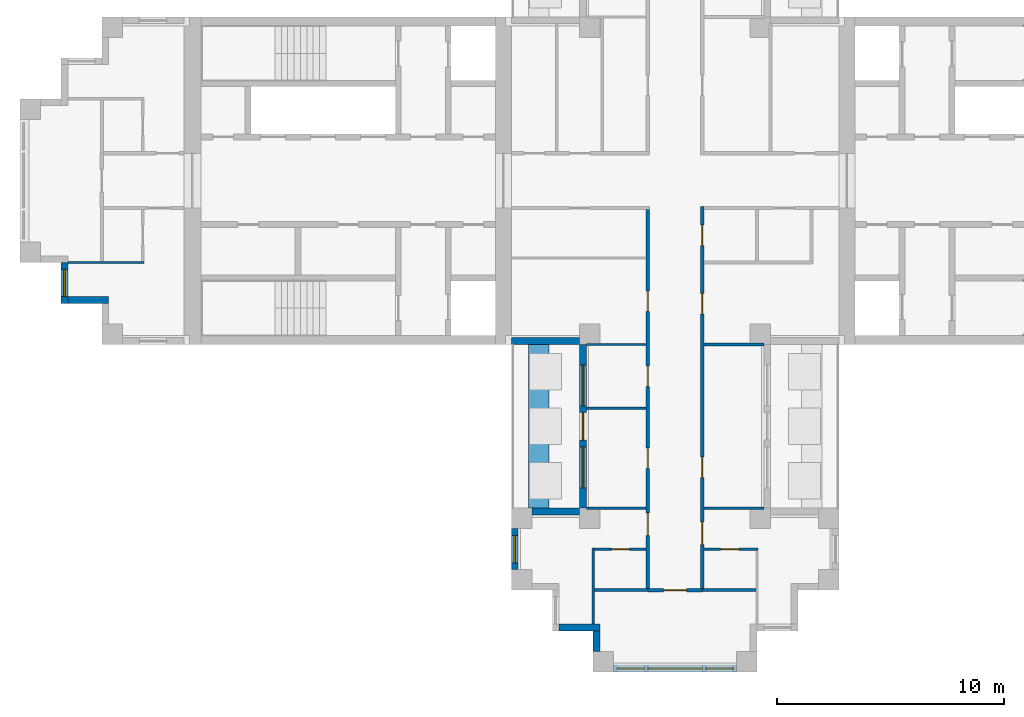
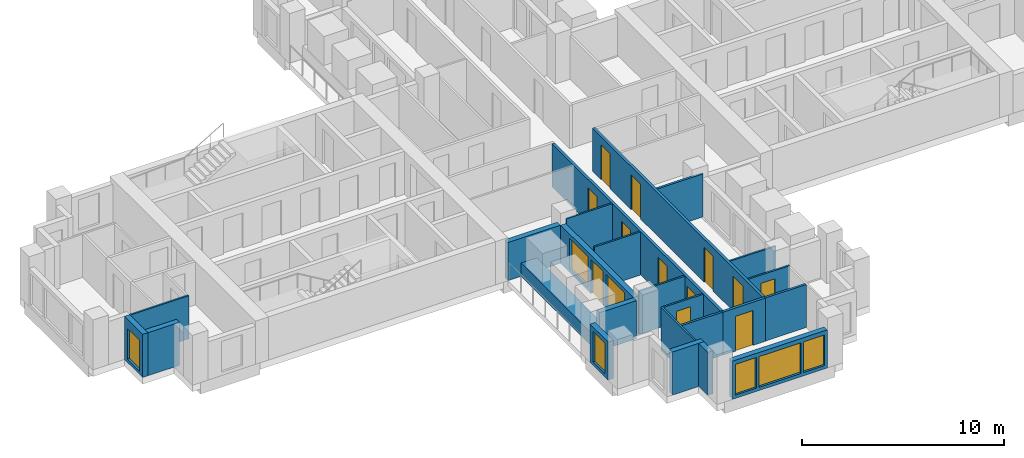
# One storey, part 2 of 10: 24 walls, 12 doors, 7 windows, 19 openings.
"""IFC4 building model written with IfcOpenShell, lengths in metres."""

from ifc_helpers import new_model, si_unit, direction, frame, frame_2d, origin, place, context, subcontext, project, spatial, rectangle, extrude, material, layer, layer_set, type_object, element, fill, save


model = new_model("IFC4")

# Units and contexts
model_context = context("Model", 3, precision=1e-05, world=origin(), true_north=direction((0.0, 1.0)))
body_context = subcontext(model_context, "Body", "Model", "MODEL_VIEW")
ifc_project = project(units=[si_unit("LENGTHUNIT", "METRE"), si_unit("AREAUNIT", "SQUARE_METRE"), si_unit("VOLUMEUNIT", "CUBIC_METRE"), si_unit("PLANEANGLEUNIT", "RADIAN"), si_unit("MASSUNIT", "GRAM", prefix="KILO")], contexts=[model_context])

# Site, building, storey
site_placement = place(None, origin())
site = spatial("IfcSite", under=ifc_project, at=site_placement, CompositionType="ELEMENT")
building_placement = place(site_placement, origin())
building = spatial("IfcBuilding", under=site, at=building_placement, Name="Fustian Cross Tower", CompositionType="ELEMENT")
storey_placement = place(building_placement, frame((0.0, 0.0, 204.89990234375)))
storey = spatial("IfcBuildingStorey", under=building, at=storey_placement, Name="L64", CompositionType="ELEMENT", Elevation=204.89990234375)

# Wall, openings, doors
ifc_material_1 = material(Name="Plasterboard on steel stud", Category="steel")
ifc_layer_1 = layer(ifc_material_1, 0.14990234375)
ifc_layer_set_1 = layer_set([ifc_layer_1], Name="Plasterboard on steel stud")
wall_type_1 = type_object("IfcWallType", Name="COMPARTMENT WALL 150 EI 60", PredefinedType="PARTITIONING", material=ifc_layer_set_1)
wall_1_placement = place(storey_placement, frame((-1.199951171875, -17.925048828125, 0.0), z_axis=(0.0, 0.0, 1.0), x_axis=(0.0, 1.0, 0.0)))
wall_1 = element("IfcWall", 1, at=wall_1_placement, inside=storey, type_object=wall_type_1, Name="Partition 26", PredefinedType="PARTITIONING", context=body_context, shape_type="SweptSolid", body=[
    extrude(rectangle(XDim=16.650146484375, YDim=0.14990234375, at=frame_2d((8.3251953125, 0.0))), origin(), (0.0, 0.0, 1.0), 2.60009765625),
])
opening_1_placement = place(wall_1_placement, frame((12.175048828125, 0.0, 0.0)))
opening_1 = element("IfcOpeningElement", 2, at=opening_1_placement, cuts=wall_1, Name="Opening D29010", PredefinedType="OPENING", context=body_context, shape_type="SweptSolid", body=[
    extrude(rectangle(XDim=0.89990234375, YDim=2.10009765625, at=frame_2d((0.449951171875, 1.050048828125))), frame((0.0, 0.0849609375, 0.0), z_axis=(0.0, -1.0, 0.0), x_axis=(1.0, 0.0, 0.0)), (0.0, 0.0, 1.0), 0.169921875),
])
opening_2_placement = place(wall_1_placement, frame((8.875, 0.0, 0.0)))
opening_2 = element("IfcOpeningElement", 3, at=opening_2_placement, cuts=wall_1, Name="Opening D29030", PredefinedType="OPENING", context=body_context, shape_type="SweptSolid", body=[
    extrude(rectangle(XDim=0.89990234375, YDim=2.10009765625, at=frame_2d((0.449951171875, 1.050048828125))), frame((0.0, 0.0849609375, 0.0), z_axis=(0.0, -1.0, 0.0), x_axis=(1.0, 0.0, 0.0)), (0.0, 0.0, 1.0), 0.169921875),
])
opening_3_placement = place(wall_1_placement, frame((5.27490234375, 0.0, 0.0)))
opening_3 = element("IfcOpeningElement", 4, at=opening_3_placement, cuts=wall_1, Name="Opening D29031", PredefinedType="OPENING", context=body_context, shape_type="SweptSolid", body=[
    extrude(rectangle(XDim=0.89990234375, YDim=2.10009765625, at=frame_2d((0.449951171875, 1.050048828125))), frame((0.0, 0.0849609375, 0.0), z_axis=(0.0, -1.0, 0.0), x_axis=(1.0, 0.0, 0.0)), (0.0, 0.0, 1.0), 0.169921875),
])
opening_4_placement = place(wall_1_placement, frame((2.324951171875, 0.0, 0.0)))
opening_4 = element("IfcOpeningElement", 5, at=opening_4_placement, cuts=wall_1, Name="Opening D29033", PredefinedType="OPENING", context=body_context, shape_type="SweptSolid", body=[
    extrude(rectangle(XDim=1.0, YDim=2.10009765625, at=frame_2d((0.5, 1.050048828125))), frame((0.0, 0.0849609375, 0.0), z_axis=(0.0, -1.0, 0.0), x_axis=(1.0, 0.0, 0.0)), (0.0, 0.0, 1.0), 0.169921875),
])
ifc_material_2 = material(Name="Timber fire door set", Category="wood")
door_type_1 = type_object("IfcDoorType", Name="FIRE SWING DOOR 1000 FD30S", OperationType="SINGLE_SWING_LEFT", PredefinedType="DOOR", material=ifc_material_2)
door_1_placement = place(opening_4_placement, origin())
door_1 = element("IfcDoor", 6, at=door_1_placement, inside=storey, type_object=door_type_1, Name="Door D29033", OperationType="SINGLE_SWING_RIGHT", OverallHeight=2.10009765625, OverallWidth=1.0, PredefinedType="DOOR", context=body_context, shape_type="SweptSolid", body=[
    extrude(rectangle(XDim=1.0, YDim=2.10009765625, at=frame_2d((0.5, 1.050048828125))), frame((0.0, 0.02490234375, 0.0), z_axis=(0.0, -1.0, 0.0), x_axis=(1.0, 0.0, 0.0)), (0.0, 0.0, 1.0), 0.050048828125),
])
fill(opening_4, door_1)
ifc_material_3 = material(Name="Timber fire door set", Category="wood")
door_type_2 = type_object("IfcDoorType", Name="FIRE SWING DOOR 900 FD30S", OperationType="SINGLE_SWING_LEFT", PredefinedType="DOOR", material=ifc_material_3)
door_2_placement = place(opening_1_placement, origin())
door_2 = element("IfcDoor", 7, at=door_2_placement, inside=storey, type_object=door_type_2, Name="Door D29010", OperationType="SINGLE_SWING_RIGHT", OverallHeight=2.10009765625, OverallWidth=0.89990234375, PredefinedType="DOOR", context=body_context, shape_type="SweptSolid", body=[
    extrude(rectangle(XDim=0.89990234375, YDim=2.10009765625, at=frame_2d((0.449951171875, 1.050048828125))), frame((0.0, 0.02490234375, 0.0), z_axis=(0.0, -1.0, 0.0), x_axis=(1.0, 0.0, 0.0)), (0.0, 0.0, 1.0), 0.050048828125),
])
fill(opening_1, door_2)
door_3_placement = place(opening_2_placement, origin())
door_3 = element("IfcDoor", 8, at=door_3_placement, inside=storey, type_object=door_type_2, Name="Door D29030", OperationType="SINGLE_SWING_LEFT", OverallHeight=2.10009765625, OverallWidth=0.89990234375, PredefinedType="DOOR", context=body_context, shape_type="SweptSolid", body=[
    extrude(rectangle(XDim=0.89990234375, YDim=2.10009765625, at=frame_2d((0.449951171875, 1.050048828125))), frame((0.0, 0.02490234375, 0.0), z_axis=(0.0, -1.0, 0.0), x_axis=(1.0, 0.0, 0.0)), (0.0, 0.0, 1.0), 0.050048828125),
])
fill(opening_2, door_3)
door_4_placement = place(opening_3_placement, origin())
door_4 = element("IfcDoor", 9, at=door_4_placement, inside=storey, type_object=door_type_2, Name="Door D29031", OperationType="SINGLE_SWING_LEFT", OverallHeight=2.10009765625, OverallWidth=0.89990234375, PredefinedType="DOOR", context=body_context, shape_type="SweptSolid", body=[
    extrude(rectangle(XDim=0.89990234375, YDim=2.10009765625, at=frame_2d((0.449951171875, 1.050048828125))), frame((0.0, 0.02490234375, 0.0), z_axis=(0.0, -1.0, 0.0), x_axis=(1.0, 0.0, 0.0)), (0.0, 0.0, 1.0), 0.050048828125),
])
fill(opening_3, door_4)

# Wall, opening, door
wall_2_placement = place(storey_placement, frame((-1.199951171875, -18.0, 0.0), z_axis=(0.0, 0.0, 1.0), x_axis=(1.0, 0.0, 0.0)))
wall_2 = element("IfcWall", 10, at=wall_2_placement, inside=storey, type_object=wall_type_1, Name="Partition 27", PredefinedType="PARTITIONING", context=body_context, shape_type="SweptSolid", body=[
    extrude(rectangle(XDim=2.39990234375, YDim=0.14990234375, at=frame_2d((1.199951171875, 0.0))), origin(), (0.0, 0.0, 1.0), 2.60009765625),
])
opening_5_placement = place(wall_2_placement, frame((0.699951171875, 0.0, 0.0)))
opening_5 = element("IfcOpeningElement", 11, at=opening_5_placement, cuts=wall_2, Name="Opening D29026", PredefinedType="OPENING", context=body_context, shape_type="SweptSolid", body=[
    extrude(rectangle(XDim=1.0, YDim=2.10009765625, at=frame_2d((0.5, 1.050048828125))), frame((0.0, 0.0849609375, 0.0), z_axis=(0.0, -1.0, 0.0), x_axis=(1.0, 0.0, 0.0)), (0.0, 0.0, 1.0), 0.169921875),
])
door_5_placement = place(opening_5_placement, frame((1.0, 0.0, 0.0), z_axis=(0.0, 0.0, 1.0), x_axis=(-1.0, 0.0, 0.0)))
door_5 = element("IfcDoor", 12, at=door_5_placement, inside=storey, type_object=door_type_1, Name="Door D29026", OperationType="SINGLE_SWING_RIGHT", OverallHeight=2.10009765625, OverallWidth=1.0, PredefinedType="DOOR", context=body_context, shape_type="SweptSolid", body=[
    extrude(rectangle(XDim=1.0, YDim=2.10009765625, at=frame_2d((0.5, 1.050048828125))), frame((0.0, 0.02490234375, 0.0), z_axis=(0.0, -1.0, 0.0), x_axis=(1.0, 0.0, 0.0)), (0.0, 0.0, 1.0), 0.050048828125),
])
fill(opening_5, door_5)

# Wall, openings, doors
wall_3_placement = place(storey_placement, frame((1.199951171875, -17.925048828125, 0.0), z_axis=(0.0, 0.0, 1.0), x_axis=(0.0, 1.0, 0.0)))
wall_3 = element("IfcWall", 13, at=wall_3_placement, inside=storey, type_object=wall_type_1, Name="Partition 30", PredefinedType="PARTITIONING", context=body_context, shape_type="SweptSolid", body=[
    extrude(rectangle(XDim=16.800048828125, YDim=0.14990234375, at=frame_2d((8.39990234375, 0.0))), origin(), (0.0, 0.0, 1.0), 2.60009765625),
])
opening_6_placement = place(wall_3_placement, frame((15.074951171875, 0.0, 0.0)))
opening_6 = element("IfcOpeningElement", 14, at=opening_6_placement, cuts=wall_3, Name="Opening D29006", PredefinedType="OPENING", context=body_context, shape_type="SweptSolid", body=[
    extrude(rectangle(XDim=0.89990234375, YDim=2.10009765625, at=frame_2d((0.449951171875, 1.050048828125))), frame((0.0, 0.0849609375, 0.0), z_axis=(0.0, -1.0, 0.0), x_axis=(1.0, 0.0, 0.0)), (0.0, 0.0, 1.0), 0.169921875),
])
opening_7_placement = place(wall_3_placement, frame((12.074951171875, 0.0, 0.0)))
opening_7 = element("IfcOpeningElement", 15, at=opening_7_placement, cuts=wall_3, Name="Opening D29008", PredefinedType="OPENING", context=body_context, shape_type="SweptSolid", body=[
    extrude(rectangle(XDim=0.89990234375, YDim=2.10009765625, at=frame_2d((0.449951171875, 1.050048828125))), frame((0.0, 0.0849609375, 0.0), z_axis=(0.0, -1.0, 0.0), x_axis=(1.0, 0.0, 0.0)), (0.0, 0.0, 1.0), 0.169921875),
])
opening_8_placement = place(wall_3_placement, frame((4.875, 0.0, 0.0)))
opening_8 = element("IfcOpeningElement", 16, at=opening_8_placement, cuts=wall_3, Name="Opening D29027", PredefinedType="OPENING", context=body_context, shape_type="SweptSolid", body=[
    extrude(rectangle(XDim=0.89990234375, YDim=2.10009765625, at=frame_2d((0.449951171875, 1.050048828125))), frame((0.0, 0.0849609375, 0.0), z_axis=(0.0, -1.0, 0.0), x_axis=(1.0, 0.0, 0.0)), (0.0, 0.0, 1.0), 0.169921875),
])
opening_9_placement = place(wall_3_placement, frame((1.925048828125, 0.0, 0.0)))
opening_9 = element("IfcOpeningElement", 17, at=opening_9_placement, cuts=wall_3, Name="Opening D29029", PredefinedType="OPENING", context=body_context, shape_type="SweptSolid", body=[
    extrude(rectangle(XDim=1.0, YDim=2.10009765625, at=frame_2d((0.5, 1.050048828125))), frame((0.0, 0.0849609375, 0.0), z_axis=(0.0, -1.0, 0.0), x_axis=(1.0, 0.0, 0.0)), (0.0, 0.0, 1.0), 0.169921875),
])
door_6_placement = place(opening_9_placement, frame((1.0, 0.0, 0.0), z_axis=(0.0, 0.0, 1.0), x_axis=(-1.0, 0.0, 0.0)))
door_6 = element("IfcDoor", 18, at=door_6_placement, inside=storey, type_object=door_type_1, Name="Door D29029", OperationType="SINGLE_SWING_RIGHT", OverallHeight=2.10009765625, OverallWidth=1.0, PredefinedType="DOOR", context=body_context, shape_type="SweptSolid", body=[
    extrude(rectangle(XDim=1.0, YDim=2.10009765625, at=frame_2d((0.5, 1.050048828125))), frame((0.0, 0.02490234375, 0.0), z_axis=(0.0, -1.0, 0.0), x_axis=(1.0, 0.0, 0.0)), (0.0, 0.0, 1.0), 0.050048828125),
])
fill(opening_9, door_6)
door_7_placement = place(opening_6_placement, frame((0.89990234375, 0.0, 0.0), z_axis=(0.0, 0.0, 1.0), x_axis=(-1.0, 0.0, 0.0)))
door_7 = element("IfcDoor", 19, at=door_7_placement, inside=storey, type_object=door_type_2, Name="Door D29006", OperationType="SINGLE_SWING_RIGHT", OverallHeight=2.10009765625, OverallWidth=0.89990234375, PredefinedType="DOOR", context=body_context, shape_type="SweptSolid", body=[
    extrude(rectangle(XDim=0.89990234375, YDim=2.10009765625, at=frame_2d((0.449951171875, 1.050048828125))), frame((0.0, 0.02490234375, 0.0), z_axis=(0.0, -1.0, 0.0), x_axis=(1.0, 0.0, 0.0)), (0.0, 0.0, 1.0), 0.050048828125),
])
fill(opening_6, door_7)
door_8_placement = place(opening_7_placement, frame((0.89990234375, 0.0, 0.0), z_axis=(0.0, 0.0, 1.0), x_axis=(-1.0, 0.0, 0.0)))
door_8 = element("IfcDoor", 20, at=door_8_placement, inside=storey, type_object=door_type_2, Name="Door D29008", OperationType="SINGLE_SWING_RIGHT", OverallHeight=2.10009765625, OverallWidth=0.89990234375, PredefinedType="DOOR", context=body_context, shape_type="SweptSolid", body=[
    extrude(rectangle(XDim=0.89990234375, YDim=2.10009765625, at=frame_2d((0.449951171875, 1.050048828125))), frame((0.0, 0.02490234375, 0.0), z_axis=(0.0, -1.0, 0.0), x_axis=(1.0, 0.0, 0.0)), (0.0, 0.0, 1.0), 0.050048828125),
])
fill(opening_7, door_8)
door_9_placement = place(opening_8_placement, frame((0.89990234375, 0.0, 0.0), z_axis=(0.0, 0.0, 1.0), x_axis=(-1.0, 0.0, 0.0)))
door_9 = element("IfcDoor", 21, at=door_9_placement, inside=storey, type_object=door_type_2, Name="Door D29027", OperationType="SINGLE_SWING_RIGHT", OverallHeight=2.10009765625, OverallWidth=0.89990234375, PredefinedType="DOOR", context=body_context, shape_type="SweptSolid", body=[
    extrude(rectangle(XDim=0.89990234375, YDim=2.10009765625, at=frame_2d((0.449951171875, 1.050048828125))), frame((0.0, 0.02490234375, 0.0), z_axis=(0.0, -1.0, 0.0), x_axis=(1.0, 0.0, 0.0)), (0.0, 0.0, 1.0), 0.050048828125),
])
fill(opening_8, door_9)

# Walls
ifc_material_4 = material(Name="Plasterboard on steel stud", Category="steel")
ifc_layer_2 = layer(ifc_material_4, 0.10009765625)
ifc_layer_set_2 = layer_set([ifc_layer_2], Name="Plasterboard on steel stud")
wall_type_2 = type_object("IfcWallType", Name="PARTITION 100 STUD", PredefinedType="PARTITIONING", material=ifc_layer_set_2)
wall_4_placement = place(storey_placement, frame((-26.699951171875, -3.60009765625, 0.0), z_axis=(0.0, 0.0, 1.0), x_axis=(1.0, 0.0, 0.0)))
element("IfcWall", 22, at=wall_4_placement, inside=storey, type_object=wall_type_2, Name="Partition 1", PredefinedType="PARTITIONING", context=body_context, shape_type="SweptSolid", body=[
    extrude(rectangle(XDim=3.349853515625, YDim=0.10009765625, at=frame_2d((1.6748046875, 0.0))), origin(), (0.0, 0.0, 1.0), 2.60009765625),
])
for number, where, z_axis, x_axis, name in (
    (23, (-3.89990234375, -14.39990234375, 0.0), (0.0, 0.0, 1.0), (1.0, 0.0, 0.0), "Partition 14"),
    (24, (-3.89990234375, -10.0, 0.0), (0.0, 0.0, 1.0), (1.0, 0.0, 0.0), "Partition 15"),
    (25, (-3.89990234375, -7.199951171875, 0.0), (0.0, 0.0, 1.0), (1.0, 0.0, 0.0), "Partition 16"),
):
    element("IfcWall", number, at=place(storey_placement, frame(where, z_axis=z_axis, x_axis=x_axis)), inside=storey, type_object=wall_type_2, Name=name, PredefinedType="PARTITIONING", context=body_context, shape_type="SweptSolid", body=[
        extrude(rectangle(XDim=2.625, YDim=0.10009765625, at=frame_2d((1.3125, 0.0))), origin(), (0.0, 0.0, 1.0), 2.60009765625),
    ])
wall_5_placement = place(storey_placement, frame((-3.60009765625, -19.5, 0.0), z_axis=(0.0, 0.0, 1.0), x_axis=(0.0, 1.0, 0.0)))
element("IfcWall", 26, at=wall_5_placement, inside=storey, type_object=wall_type_2, Name="Partition 19", PredefinedType="PARTITIONING", context=body_context, shape_type="SweptSolid", body=[
    extrude(rectangle(XDim=3.35009765625, YDim=0.10009765625, at=frame_2d((1.675048828125, 0.0))), origin(), (0.0, 0.0, 1.0), 2.60009765625),
])

# Wall, opening, door
wall_6_placement = place(storey_placement, frame((-3.550048828125, -16.199951171875, 0.0), z_axis=(0.0, 0.0, 1.0), x_axis=(1.0, 0.0, 0.0)))
wall_6 = element("IfcWall", 27, at=wall_6_placement, inside=storey, type_object=wall_type_2, Name="Partition 21", PredefinedType="PARTITIONING", context=body_context, shape_type="SweptSolid", body=[
    extrude(rectangle(XDim=2.275146484375, YDim=0.10009765625, at=frame_2d((1.1376953125, 0.0))), origin(), (0.0, 0.0, 1.0), 2.60009765625),
])
opening_10_placement = place(wall_6_placement, frame((0.75, 0.0, 0.0)))
opening_10 = element("IfcOpeningElement", 28, at=opening_10_placement, cuts=wall_6, Name="Opening D29032", PredefinedType="OPENING", context=body_context, shape_type="SweptSolid", body=[
    extrude(rectangle(XDim=0.800048828125, YDim=2.10009765625, at=frame_2d((0.39990234375, 1.050048828125))), frame((0.0, 0.06005859375, 0.0), z_axis=(0.0, -1.0, 0.0), x_axis=(1.0, 0.0, 0.0)), (0.0, 0.0, 1.0), 0.1201171875),
])
ifc_material_5 = material(Name="Painted timber", Category="wood")
door_type_3 = type_object("IfcDoorType", Name="SWING DOOR 800", OperationType="SINGLE_SWING_LEFT", PredefinedType="DOOR", material=ifc_material_5)
door_10_placement = place(opening_10_placement, frame((0.800048828125, 0.0, 0.0), z_axis=(0.0, 0.0, 1.0), x_axis=(-1.0, 0.0, 0.0)))
door_10 = element("IfcDoor", 29, at=door_10_placement, inside=storey, type_object=door_type_3, Name="Door D29032", OperationType="SINGLE_SWING_RIGHT", OverallHeight=2.10009765625, OverallWidth=0.800048828125, PredefinedType="DOOR", context=body_context, shape_type="SweptSolid", body=[
    extrude(rectangle(XDim=0.800048828125, YDim=2.10009765625, at=frame_2d((0.39990234375, 1.050048828125))), frame((0.0, 0.02490234375, 0.0), z_axis=(0.0, -1.0, 0.0), x_axis=(1.0, 0.0, 0.0)), (0.0, 0.0, 1.0), 0.050048828125),
])
fill(opening_10, door_10)

wall_7_placement = place(storey_placement, frame((1.27490234375, -16.199951171875, 0.0), z_axis=(0.0, 0.0, 1.0), x_axis=(1.0, 0.0, 0.0)))
wall_7 = element("IfcWall", 30, at=wall_7_placement, inside=storey, type_object=wall_type_2, Name="Partition 32", PredefinedType="PARTITIONING", context=body_context, shape_type="SweptSolid", body=[
    extrude(rectangle(XDim=2.375, YDim=0.10009765625, at=frame_2d((1.1875, 0.0))), origin(), (0.0, 0.0, 1.0), 2.60009765625),
])
opening_11_placement = place(wall_7_placement, frame((0.72509765625, 0.0, 0.0)))
opening_11 = element("IfcOpeningElement", 31, at=opening_11_placement, cuts=wall_7, Name="Opening D29028", PredefinedType="OPENING", context=body_context, shape_type="SweptSolid", body=[
    extrude(rectangle(XDim=0.800048828125, YDim=2.10009765625, at=frame_2d((0.39990234375, 1.050048828125))), frame((0.0, 0.06005859375, 0.0), z_axis=(0.0, -1.0, 0.0), x_axis=(1.0, 0.0, 0.0)), (0.0, 0.0, 1.0), 0.1201171875),
])
door_11_placement = place(opening_11_placement, frame((0.800048828125, 0.0, 0.0), z_axis=(0.0, 0.0, 1.0), x_axis=(-1.0, 0.0, 0.0)))
door_11 = element("IfcDoor", 32, at=door_11_placement, inside=storey, type_object=door_type_3, Name="Door D29028", OperationType="SINGLE_SWING_RIGHT", OverallHeight=2.10009765625, OverallWidth=0.800048828125, PredefinedType="DOOR", context=body_context, shape_type="SweptSolid", body=[
    extrude(rectangle(XDim=0.800048828125, YDim=2.10009765625, at=frame_2d((0.39990234375, 1.050048828125))), frame((0.0, 0.02490234375, 0.0), z_axis=(0.0, -1.0, 0.0), x_axis=(1.0, 0.0, 0.0)), (0.0, 0.0, 1.0), 0.050048828125),
])
fill(opening_11, door_11)

# Walls
wall_8_placement = place(storey_placement, frame((1.27490234375, -14.39990234375, 0.0), z_axis=(0.0, 0.0, 1.0), x_axis=(1.0, 0.0, 0.0)))
element("IfcWall", 33, at=wall_8_placement, inside=storey, type_object=wall_type_2, Name="Partition 33", PredefinedType="PARTITIONING", context=body_context, shape_type="SweptSolid", body=[
    extrude(rectangle(XDim=2.625, YDim=0.10009765625, at=frame_2d((1.3125, 0.0))), origin(), (0.0, 0.0, 1.0), 2.60009765625),
])
ifc_material_6 = material(Name="Concrete C40/50", Category="concrete")
ifc_layer_3 = layer(ifc_material_6, 0.89990234375)
ifc_layer_set_3 = layer_set([ifc_layer_3], Name="Concrete C40/50")
wall_type_3 = type_object("IfcWallType", Name="PK1 PLANTER 900", PredefinedType="PARAPET", material=ifc_layer_set_3)
wall_9_placement = place(storey_placement, frame((-6.0, -14.39990234375, 0.0), z_axis=(0.0, 0.0, 1.0), x_axis=(0.0, 1.0, 0.0)))
element("IfcWall", 34, at=wall_9_placement, inside=storey, type_object=wall_type_3, Name="PLANTER", PredefinedType="PARAPET", context=body_context, shape_type="SweptSolid", body=[
    extrude(rectangle(XDim=7.199951171875, YDim=0.89990234375, at=frame_2d((3.60009765625, 0.0))), origin(), (0.0, 0.0, 1.0), 0.800048828125),
])
ifc_material_7 = material(Name="Plasterboard on steel stud", Category="steel")
ifc_layer_4 = layer(ifc_material_7, 0.125)
ifc_layer_set_4 = layer_set([ifc_layer_4], Name="Plasterboard on steel stud")
wall_type_4 = type_object("IfcWallType", Name="WET WALL 125 STUD", PredefinedType="PARTITIONING", material=ifc_layer_set_4)
for number, where, z_axis, x_axis, name in (
    (35, (-3.550048828125, -18.0, 0.0), (0.0, 0.0, 1.0), (1.0, 0.0, 0.0), "Partition 20"),
    (36, (1.199951171875, -18.0, 0.0), (0.0, 0.0, 1.0), (1.0, 0.0, 0.0), "Partition 31"),
):
    element("IfcWall", number, at=place(storey_placement, frame(where, z_axis=z_axis, x_axis=x_axis)), inside=storey, type_object=wall_type_4, Name=name, PredefinedType="PARTITIONING", context=body_context, shape_type="SweptSolid", body=[
        extrude(rectangle(XDim=2.35009765625, YDim=0.125, at=frame_2d((1.175048828125, 0.0))), origin(), (0.0, 0.0, 1.0), 2.60009765625),
    ])
wall_10_placement = place(storey_placement, frame((1.27490234375, -7.199951171875, 0.0), z_axis=(0.0, 0.0, 1.0), x_axis=(1.0, 0.0, 0.0)))
element("IfcWall", 37, at=wall_10_placement, inside=storey, type_object=wall_type_4, Name="Partition 34", PredefinedType="PARTITIONING", context=body_context, shape_type="SweptSolid", body=[
    extrude(rectangle(XDim=2.625, YDim=0.125, at=frame_2d((1.3125, 0.0))), origin(), (0.0, 0.0, 1.0), 2.60009765625),
])

# Wall, opening, window
ifc_material_8 = material(Name="Dark aluminium cladding on insulated backing wall", Category="aluminium")
ifc_layer_5 = layer(ifc_material_8, 0.300048828125)
ifc_layer_set_5 = layer_set([ifc_layer_5], Name="Dark aluminium cladding on insulated backing wall")
wall_type_5 = type_object("IfcWallType", Name="XW1 EXTERNAL WALL 300", PredefinedType="SOLIDWALL", material=ifc_layer_set_5)
wall_11_placement = place(storey_placement, frame((-26.85009765625, -3.60009765625, 0.0), z_axis=(0.0, 0.0, 1.0), x_axis=(0.0, -1.0, 0.0)))
wall_11 = element("IfcWall", 38, at=wall_11_placement, inside=storey, type_object=wall_type_5, Name="External wall", PredefinedType="SOLIDWALL", context=body_context, shape_type="SweptSolid", body=[
    extrude(rectangle(XDim=1.7998046875, YDim=0.300048828125, at=frame_2d((0.89990234375, 0.0))), origin(), (0.0, 0.0, 1.0), 2.60009765625),
])
opening_12_placement = place(wall_11_placement, frame((0.300048828125, 0.0, 0.199951171875)))
opening_12 = element("IfcOpeningElement", 39, at=opening_12_placement, cuts=wall_11, Name="Opening WN3", PredefinedType="OPENING", context=body_context, shape_type="SweptSolid", body=[
    extrude(rectangle(XDim=1.199951171875, YDim=1.85009765625, at=frame_2d((0.60009765625, 0.925048828125))), frame((0.0, 0.159912109375, 0.0), z_axis=(0.0, -1.0, 0.0), x_axis=(1.0, 0.0, 0.0)), (0.0, 0.0, 1.0), 0.320068359375),
])
ifc_material_9 = material(Name="Dark anodised aluminium and double glazing", Category="aluminium")
window_type_1 = type_object("IfcWindowType", Name="WN3 WINDOW 1200X1850", PartitioningType="SINGLE_PANEL", PredefinedType="WINDOW", material=ifc_material_9)
window_1_placement = place(opening_12_placement, origin())
window_1 = element("IfcWindow", 40, at=window_1_placement, inside=storey, type_object=window_type_1, Name="Window", OverallHeight=1.85009765625, OverallWidth=1.199951171875, PartitioningType="SINGLE_PANEL", PredefinedType="WINDOW", context=body_context, shape_type="SweptSolid", body=[
    extrude(rectangle(XDim=1.199951171875, YDim=1.85009765625, at=frame_2d((0.60009765625, 0.925048828125))), frame((0.0, 0.030029296875, 0.0), z_axis=(0.0, -1.0, 0.0), x_axis=(1.0, 0.0, 0.0)), (0.0, 0.0, 1.0), 0.06005859375),
])
fill(opening_12, window_1)

# Walls
wall_12_placement = place(storey_placement, frame((-26.699951171875, -5.25, 0.0), z_axis=(0.0, 0.0, 1.0), x_axis=(1.0, 0.0, 0.0)))
element("IfcWall", 41, at=wall_12_placement, inside=storey, type_object=wall_type_5, Name="External wall", PredefinedType="SOLIDWALL", context=body_context, shape_type="SweptSolid", body=[
    extrude(rectangle(XDim=1.800048828125, YDim=0.300048828125, at=frame_2d((0.89990234375, 0.0))), origin(), (0.0, 0.0, 1.0), 2.60009765625),
])
wall_13_placement = place(storey_placement, frame((-7.199951171875, -7.050048828125, 0.0), z_axis=(0.0, 0.0, 1.0), x_axis=(1.0, 0.0, 0.0)))
element("IfcWall", 42, at=wall_13_placement, inside=storey, type_object=wall_type_5, Name="External wall", PredefinedType="SOLIDWALL", context=body_context, shape_type="SweptSolid", body=[
    extrude(rectangle(XDim=3.0, YDim=0.300048828125, at=frame_2d((1.5, 0.0))), origin(), (0.0, 0.0, 1.0), 2.300048828125),
])

# Wall, openings, door, windows
wall_14_placement = place(storey_placement, frame((-4.050048828125, -7.199951171875, 0.0), z_axis=(0.0, 0.0, 1.0), x_axis=(0.0, -1.0, 0.0)))
wall_14 = element("IfcWall", 43, at=wall_14_placement, inside=storey, type_object=wall_type_5, Name="External wall", PredefinedType="SOLIDWALL", context=body_context, shape_type="SweptSolid", body=[
    extrude(rectangle(XDim=7.199951171875, YDim=0.300048828125, at=frame_2d((3.60009765625, 0.0))), origin(), (0.0, 0.0, 1.0), 2.300048828125),
])
opening_13_placement = place(wall_14_placement, frame((3.0, 0.0, 0.0)))
opening_13 = element("IfcOpeningElement", 44, at=opening_13_placement, cuts=wall_14, Name="Opening XD4", PredefinedType="OPENING", context=body_context, shape_type="SweptSolid", body=[
    extrude(rectangle(XDim=1.199951171875, YDim=2.050048828125, at=frame_2d((0.60009765625, 1.02490234375))), frame((0.0, 0.159912109375, 0.0), z_axis=(0.0, -1.0, 0.0), x_axis=(1.0, 0.0, 0.0)), (0.0, 0.0, 1.0), 0.320068359375),
])
opening_14_placement = place(wall_14_placement, frame((0.89990234375, 0.0, 0.199951171875)))
opening_14 = element("IfcOpeningElement", 45, at=opening_14_placement, cuts=wall_14, Name="Opening WN2", PredefinedType="OPENING", context=body_context, shape_type="SweptSolid", body=[
    extrude(rectangle(XDim=1.800048828125, YDim=1.85009765625, at=frame_2d((0.89990234375, 0.925048828125))), frame((0.0, 0.159912109375, 0.0), z_axis=(0.0, -1.0, 0.0), x_axis=(1.0, 0.0, 0.0)), (0.0, 0.0, 1.0), 0.320068359375),
])
opening_15_placement = place(wall_14_placement, frame((4.5, 0.0, 0.199951171875)))
opening_15 = element("IfcOpeningElement", 46, at=opening_15_placement, cuts=wall_14, Name="Opening WN2", PredefinedType="OPENING", context=body_context, shape_type="SweptSolid", body=[
    extrude(rectangle(XDim=1.800048828125, YDim=1.85009765625, at=frame_2d((0.89990234375, 0.925048828125))), frame((0.0, 0.159912109375, 0.0), z_axis=(0.0, -1.0, 0.0), x_axis=(1.0, 0.0, 0.0)), (0.0, 0.0, 1.0), 0.320068359375),
])
ifc_material_10 = material(Name="Dark anodised aluminium and double glazing", Category="aluminium")
door_type_4 = type_object("IfcDoorType", Name="ED1 BALCONY DOOR 1200X2050", OperationType="SINGLE_SWING_LEFT", PredefinedType="DOOR", material=ifc_material_10)
door_12_placement = place(opening_13_placement, origin())
door_12 = element("IfcDoor", 47, at=door_12_placement, inside=storey, type_object=door_type_4, Name="Balcony door", OperationType="SINGLE_SWING_LEFT", OverallHeight=2.050048828125, OverallWidth=1.199951171875, PredefinedType="DOOR", context=body_context, shape_type="SweptSolid", body=[
    extrude(rectangle(XDim=1.199951171875, YDim=2.050048828125, at=frame_2d((0.60009765625, 1.02490234375))), frame((0.0, 0.02490234375, 0.0), z_axis=(0.0, -1.0, 0.0), x_axis=(1.0, 0.0, 0.0)), (0.0, 0.0, 1.0), 0.050048828125),
])
fill(opening_13, door_12)
ifc_material_11 = material(Name="Dark anodised aluminium and double glazing", Category="aluminium")
window_type_2 = type_object("IfcWindowType", Name="WN2 WINDOW 1800X1850", PartitioningType="SINGLE_PANEL", PredefinedType="WINDOW", material=ifc_material_11)
window_2_placement = place(opening_14_placement, origin())
window_2 = element("IfcWindow", 48, at=window_2_placement, inside=storey, type_object=window_type_2, Name="Window", OverallHeight=1.85009765625, OverallWidth=1.800048828125, PartitioningType="SINGLE_PANEL", PredefinedType="WINDOW", context=body_context, shape_type="SweptSolid", body=[
    extrude(rectangle(XDim=1.800048828125, YDim=1.85009765625, at=frame_2d((0.89990234375, 0.925048828125))), frame((0.0, 0.030029296875, 0.0), z_axis=(0.0, -1.0, 0.0), x_axis=(1.0, 0.0, 0.0)), (0.0, 0.0, 1.0), 0.06005859375),
])
fill(opening_14, window_2)
window_3_placement = place(opening_15_placement, origin())
window_3 = element("IfcWindow", 49, at=window_3_placement, inside=storey, type_object=window_type_2, Name="Window", OverallHeight=1.85009765625, OverallWidth=1.800048828125, PartitioningType="SINGLE_PANEL", PredefinedType="WINDOW", context=body_context, shape_type="SweptSolid", body=[
    extrude(rectangle(XDim=1.800048828125, YDim=1.85009765625, at=frame_2d((0.89990234375, 0.925048828125))), frame((0.0, 0.030029296875, 0.0), z_axis=(0.0, -1.0, 0.0), x_axis=(1.0, 0.0, 0.0)), (0.0, 0.0, 1.0), 0.06005859375),
])
fill(opening_15, window_3)

# Wall
wall_15_placement = place(storey_placement, frame((-4.199951171875, -14.550048828125, 0.0), z_axis=(0.0, 0.0, 1.0), x_axis=(-1.0, 0.0, 0.0)))
element("IfcWall", 50, at=wall_15_placement, inside=storey, type_object=wall_type_5, Name="External wall", PredefinedType="SOLIDWALL", context=body_context, shape_type="SweptSolid", body=[
    extrude(rectangle(XDim=2.10009765625, YDim=0.300048828125, at=frame_2d((1.050048828125, 0.0))), origin(), (0.0, 0.0, 1.0), 2.300048828125),
])

# Wall, opening, window
wall_16_placement = place(storey_placement, frame((-7.050048828125, -15.300048828125, 0.0), z_axis=(0.0, 0.0, 1.0), x_axis=(0.0, -1.0, 0.0)))
wall_16 = element("IfcWall", 51, at=wall_16_placement, inside=storey, type_object=wall_type_5, Name="External wall", PredefinedType="SOLIDWALL", context=body_context, shape_type="SweptSolid", body=[
    extrude(rectangle(XDim=1.800048828125, YDim=0.300048828125, at=frame_2d((0.89990234375, 0.0))), origin(), (0.0, 0.0, 1.0), 2.300048828125),
])
opening_16_placement = place(wall_16_placement, frame((0.300048828125, 0.0, 0.199951171875)))
opening_16 = element("IfcOpeningElement", 52, at=opening_16_placement, cuts=wall_16, Name="Opening WN3", PredefinedType="OPENING", context=body_context, shape_type="SweptSolid", body=[
    extrude(rectangle(XDim=1.199951171875, YDim=1.85009765625, at=frame_2d((0.60009765625, 0.925048828125))), frame((0.0, 0.159912109375, 0.0), z_axis=(0.0, -1.0, 0.0), x_axis=(1.0, 0.0, 0.0)), (0.0, 0.0, 1.0), 0.320068359375),
])
window_4_placement = place(opening_16_placement, origin())
window_4 = element("IfcWindow", 53, at=window_4_placement, inside=storey, type_object=window_type_1, Name="Window", OverallHeight=1.85009765625, OverallWidth=1.199951171875, PartitioningType="SINGLE_PANEL", PredefinedType="WINDOW", context=body_context, shape_type="SweptSolid", body=[
    extrude(rectangle(XDim=1.199951171875, YDim=1.85009765625, at=frame_2d((0.60009765625, 0.925048828125))), frame((0.0, 0.030029296875, 0.0), z_axis=(0.0, -1.0, 0.0), x_axis=(1.0, 0.0, 0.0)), (0.0, 0.0, 1.0), 0.06005859375),
])
fill(opening_16, window_4)

# Walls
wall_17_placement = place(storey_placement, frame((-5.10009765625, -19.64990234375, 0.0), z_axis=(0.0, 0.0, 1.0), x_axis=(1.0, 0.0, 0.0)))
element("IfcWall", 54, at=wall_17_placement, inside=storey, type_object=wall_type_5, Name="External wall", PredefinedType="SOLIDWALL", context=body_context, shape_type="SweptSolid", body=[
    extrude(rectangle(XDim=1.800048828125, YDim=0.300048828125, at=frame_2d((0.89990234375, 0.0))), origin(), (0.0, 0.0, 1.0), 2.60009765625),
])
wall_18_placement = place(storey_placement, frame((-3.449951171875, -19.800048828125, 0.0), z_axis=(0.0, 0.0, 1.0), x_axis=(0.0, -1.0, 0.0)))
element("IfcWall", 55, at=wall_18_placement, inside=storey, type_object=wall_type_5, Name="External wall", PredefinedType="SOLIDWALL", context=body_context, shape_type="SweptSolid", body=[
    extrude(rectangle(XDim=0.89990234375, YDim=0.300048828125, at=frame_2d((0.449951171875, 0.0))), origin(), (0.0, 0.0, 1.0), 2.60009765625),
])

# Wall, openings, windows
wall_19_placement = place(storey_placement, frame((-2.699951171875, -21.449951171875, 0.0), z_axis=(0.0, 0.0, 1.0), x_axis=(1.0, 0.0, 0.0)))
wall_19 = element("IfcWall", 56, at=wall_19_placement, inside=storey, type_object=wall_type_5, Name="External wall", PredefinedType="SOLIDWALL", context=body_context, shape_type="SweptSolid", body=[
    extrude(rectangle(XDim=5.39990234375, YDim=0.300048828125, at=frame_2d((2.699951171875, 0.0))), origin(), (0.0, 0.0, 1.0), 2.300048828125),
])
opening_17_placement = place(wall_19_placement, frame((1.5, 0.0, 0.199951171875)))
opening_17 = element("IfcOpeningElement", 57, at=opening_17_placement, cuts=wall_19, Name="Opening WN1", PredefinedType="OPENING", context=body_context, shape_type="SweptSolid", body=[
    extrude(rectangle(XDim=2.39990234375, YDim=1.85009765625, at=frame_2d((1.199951171875, 0.925048828125))), frame((0.0, 0.159912109375, 0.0), z_axis=(0.0, -1.0, 0.0), x_axis=(1.0, 0.0, 0.0)), (0.0, 0.0, 1.0), 0.320068359375),
])
opening_18_placement = place(wall_19_placement, frame((0.14990234375, 0.0, 0.199951171875)))
opening_18 = element("IfcOpeningElement", 58, at=opening_18_placement, cuts=wall_19, Name="Opening WN3", PredefinedType="OPENING", context=body_context, shape_type="SweptSolid", body=[
    extrude(rectangle(XDim=1.199951171875, YDim=1.85009765625, at=frame_2d((0.60009765625, 0.925048828125))), frame((0.0, 0.159912109375, 0.0), z_axis=(0.0, -1.0, 0.0), x_axis=(1.0, 0.0, 0.0)), (0.0, 0.0, 1.0), 0.320068359375),
])
opening_19_placement = place(wall_19_placement, frame((4.050048828125, 0.0, 0.199951171875)))
opening_19 = element("IfcOpeningElement", 59, at=opening_19_placement, cuts=wall_19, Name="Opening WN3", PredefinedType="OPENING", context=body_context, shape_type="SweptSolid", body=[
    extrude(rectangle(XDim=1.199951171875, YDim=1.85009765625, at=frame_2d((0.60009765625, 0.925048828125))), frame((0.0, 0.159912109375, 0.0), z_axis=(0.0, -1.0, 0.0), x_axis=(1.0, 0.0, 0.0)), (0.0, 0.0, 1.0), 0.320068359375),
])
ifc_material_12 = material(Name="Dark anodised aluminium and double glazing", Category="aluminium")
window_type_3 = type_object("IfcWindowType", Name="WN1 WINDOW 2400X1850", PartitioningType="SINGLE_PANEL", PredefinedType="WINDOW", material=ifc_material_12)
window_5_placement = place(opening_17_placement, origin())
window_5 = element("IfcWindow", 60, at=window_5_placement, inside=storey, type_object=window_type_3, Name="Window", OverallHeight=1.85009765625, OverallWidth=2.39990234375, PartitioningType="SINGLE_PANEL", PredefinedType="WINDOW", context=body_context, shape_type="SweptSolid", body=[
    extrude(rectangle(XDim=2.39990234375, YDim=1.85009765625, at=frame_2d((1.199951171875, 0.925048828125))), frame((0.0, 0.030029296875, 0.0), z_axis=(0.0, -1.0, 0.0), x_axis=(1.0, 0.0, 0.0)), (0.0, 0.0, 1.0), 0.06005859375),
])
fill(opening_17, window_5)
window_6_placement = place(opening_18_placement, origin())
window_6 = element("IfcWindow", 61, at=window_6_placement, inside=storey, type_object=window_type_1, Name="Window", OverallHeight=1.85009765625, OverallWidth=1.199951171875, PartitioningType="SINGLE_PANEL", PredefinedType="WINDOW", context=body_context, shape_type="SweptSolid", body=[
    extrude(rectangle(XDim=1.199951171875, YDim=1.85009765625, at=frame_2d((0.60009765625, 0.925048828125))), frame((0.0, 0.030029296875, 0.0), z_axis=(0.0, -1.0, 0.0), x_axis=(1.0, 0.0, 0.0)), (0.0, 0.0, 1.0), 0.06005859375),
])
fill(opening_18, window_6)
window_7_placement = place(opening_19_placement, origin())
window_7 = element("IfcWindow", 62, at=window_7_placement, inside=storey, type_object=window_type_1, Name="Window", OverallHeight=1.85009765625, OverallWidth=1.199951171875, PartitioningType="SINGLE_PANEL", PredefinedType="WINDOW", context=body_context, shape_type="SweptSolid", body=[
    extrude(rectangle(XDim=1.199951171875, YDim=1.85009765625, at=frame_2d((0.60009765625, 0.925048828125))), frame((0.0, 0.030029296875, 0.0), z_axis=(0.0, -1.0, 0.0), x_axis=(1.0, 0.0, 0.0)), (0.0, 0.0, 1.0), 0.06005859375),
])
fill(opening_19, window_7)

save(model, "model.ifc")
